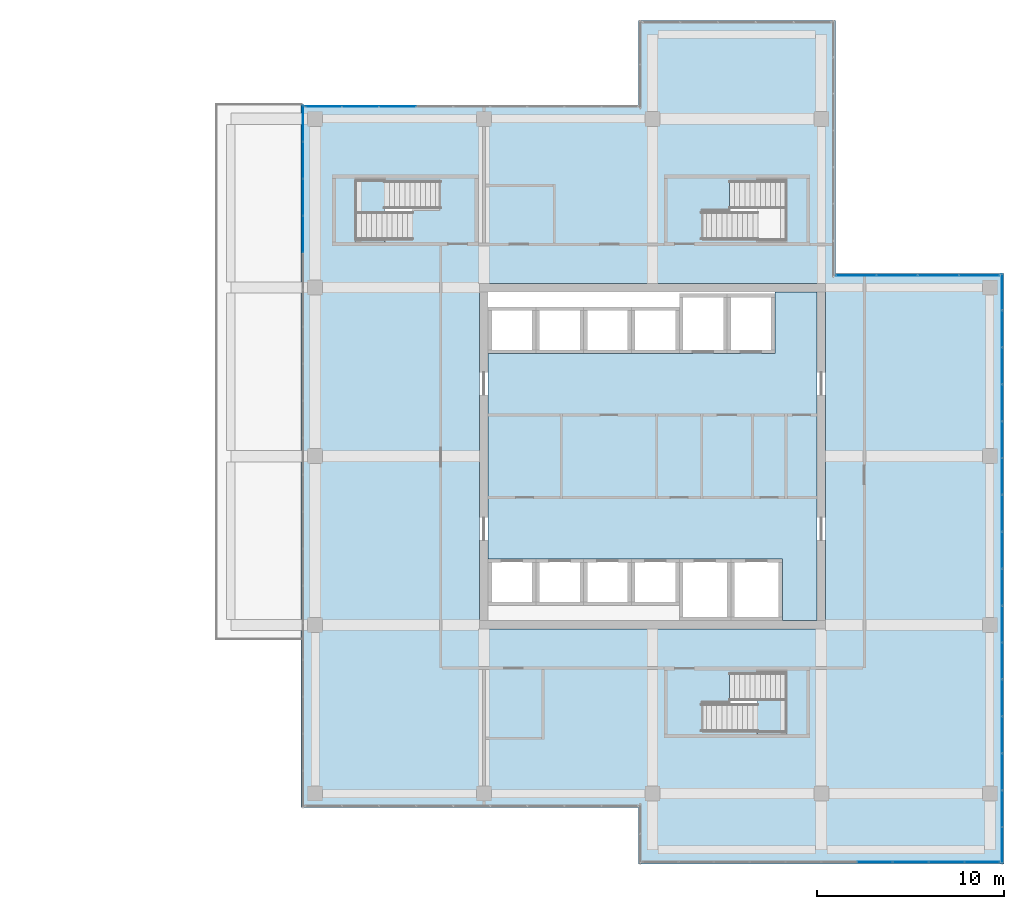
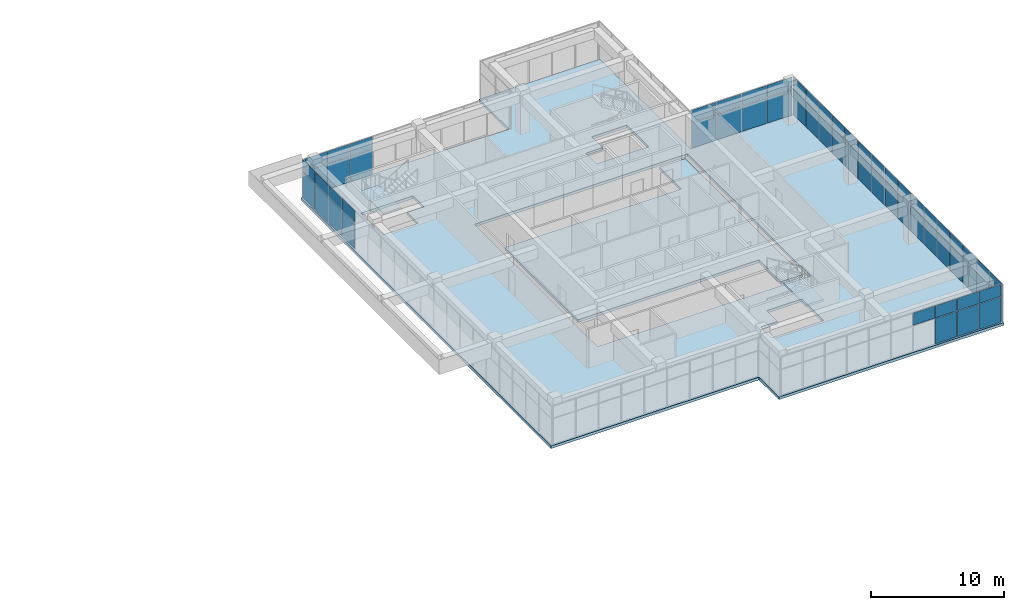
# One storey, part 40 of 52: 61 plates, 4 slabs, 7 elements without a shape of their own.
"""IFC4 building model written with IfcOpenShell, lengths in metres."""

from ifc_helpers import new_model, si_unit, direction, frame, origin, origin_2d, place, context, subcontext, project, spatial, polyline, rectangle, outline, extrude, material, layer, layer_set, type_object, element, aggregate, save


model = new_model("IFC4")

# Units and contexts
model_context = context("Model", 3, precision=1e-05, world=origin(), true_north=direction((0.0, 1.0)))
body_context = subcontext(model_context, "Body", "Model", "MODEL_VIEW")
ifc_project = project(units=[si_unit("LENGTHUNIT", "METRE"), si_unit("AREAUNIT", "SQUARE_METRE"), si_unit("VOLUMEUNIT", "CUBIC_METRE"), si_unit("PLANEANGLEUNIT", "RADIAN"), si_unit("MASSUNIT", "GRAM", prefix="KILO")], contexts=[model_context])

# Site, building, storey
site_placement = place(None, origin())
site = spatial("IfcSite", under=ifc_project, at=site_placement, CompositionType="ELEMENT")
building_placement = place(site_placement, origin())
building = spatial("IfcBuilding", under=site, at=building_placement, Name="Tuart Plaza Theatre", CompositionType="ELEMENT")
storey_placement = place(building_placement, frame((0.0, 0.0, 25.5)))
storey = spatial("IfcBuildingStorey", under=building, at=storey_placement, Name="L06", CompositionType="ELEMENT", Elevation=25.5)

# Curtain wall, plates
ifc_material_1 = material(Name="Aluminium and glass", Category="aluminium")
ifc_layer_1 = layer(ifc_material_1, 0.10009765625)
ifc_layer_set_1 = layer_set([ifc_layer_1], Name="CURTAIN WALL 2000 module")
curtain_wall_type = type_object("IfcCurtainWallType", Name="CURTAIN WALL 2000 module", PredefinedType="NOTDEFINED", material=ifc_layer_set_1)
curtain_wall_1_placement = place(storey_placement, origin())
curtain_wall_1 = element("IfcCurtainWall", 1, at=curtain_wall_1_placement, inside=storey, type_object=curtain_wall_type, Name="CW76", PredefinedType="NOTDEFINED")
ifc_material_2 = material(Name="Glass", Category="glass")
ifc_layer_2 = layer(ifc_material_2, 0.028076171875)
ifc_layer_set_2 = layer_set([ifc_layer_2], Name="CURTAIN PANEL double glazed 28")
plate_type = type_object("IfcPlateType", Name="CURTAIN PANEL double glazed 28", PredefinedType="CURTAIN_PANEL", material=ifc_layer_set_2)
plate_1_placement = place(storey_placement, frame((143.864990234375, 52.35009765625, 2.425048828125), z_axis=(0.0, 0.0, 1.0), x_axis=(1.0, 0.0, 0.0)))
plate_1 = element("IfcPlate", 2, at=plate_1_placement, type_object=plate_type, Name="CW76 panel 7.2", PredefinedType="CURTAIN_PANEL", context=body_context, shape_type="SweptSolid", body=[
    extrude(rectangle(XDim=1.860107421875, YDim=0.028076171875, at=origin_2d()), origin(), (0.0, 0.0, 1.0), 1.10498046875),
])
plate_2_placement = place(storey_placement, frame((145.77490234375, 52.35009765625, 0.0498046875), z_axis=(0.0, 0.0, 1.0), x_axis=(1.0, 0.0, 0.0)))
plate_2 = element("IfcPlate", 3, at=plate_2_placement, type_object=plate_type, Name="CW76 panel 8.1", PredefinedType="CURTAIN_PANEL", context=body_context, shape_type="SweptSolid", body=[
    extrude(rectangle(XDim=1.860107421875, YDim=0.028076171875, at=origin_2d()), origin(), (0.0, 0.0, 1.0), 2.324951171875),
])
plate_3_placement = place(storey_placement, frame((145.77490234375, 52.35009765625, 2.425048828125), z_axis=(0.0, 0.0, 1.0), x_axis=(1.0, 0.0, 0.0)))
plate_3 = element("IfcPlate", 4, at=plate_3_placement, type_object=plate_type, Name="CW76 panel 8.2", PredefinedType="CURTAIN_PANEL", context=body_context, shape_type="SweptSolid", body=[
    extrude(rectangle(XDim=1.860107421875, YDim=0.028076171875, at=origin_2d()), origin(), (0.0, 0.0, 1.0), 1.10498046875),
])
plate_4_placement = place(storey_placement, frame((147.68505859375, 52.35009765625, 0.0498046875), z_axis=(0.0, 0.0, 1.0), x_axis=(1.0, 0.0, 0.0)))
plate_4 = element("IfcPlate", 5, at=plate_4_placement, type_object=plate_type, Name="CW76 panel 9.1", PredefinedType="CURTAIN_PANEL", context=body_context, shape_type="SweptSolid", body=[
    extrude(rectangle(XDim=1.860107421875, YDim=0.028076171875, at=origin_2d()), origin(), (0.0, 0.0, 1.0), 2.324951171875),
])
plate_5_placement = place(storey_placement, frame((147.68505859375, 52.35009765625, 2.425048828125), z_axis=(0.0, 0.0, 1.0), x_axis=(1.0, 0.0, 0.0)))
plate_5 = element("IfcPlate", 6, at=plate_5_placement, type_object=plate_type, Name="CW76 panel 9.2", PredefinedType="CURTAIN_PANEL", context=body_context, shape_type="SweptSolid", body=[
    extrude(rectangle(XDim=1.860107421875, YDim=0.028076171875, at=origin_2d()), origin(), (0.0, 0.0, 1.0), 1.10498046875),
])
plate_6_placement = place(storey_placement, frame((149.58251953125, 52.35009765625, 0.0498046875), z_axis=(0.0, 0.0, 1.0), x_axis=(1.0, 0.0, 0.0)))
plate_6 = element("IfcPlate", 7, at=plate_6_placement, type_object=plate_type, Name="CW76 panel 10.1", PredefinedType="CURTAIN_PANEL", context=body_context, shape_type="SweptSolid", body=[
    extrude(rectangle(XDim=1.8349609375, YDim=0.028076171875, at=origin_2d()), origin(), (0.0, 0.0, 1.0), 2.324951171875),
])
plate_7_placement = place(storey_placement, frame((149.58251953125, 52.35009765625, 2.425048828125), z_axis=(0.0, 0.0, 1.0), x_axis=(1.0, 0.0, 0.0)))
plate_7 = element("IfcPlate", 8, at=plate_7_placement, type_object=plate_type, Name="CW76 panel 10.2", PredefinedType="CURTAIN_PANEL", context=body_context, shape_type="SweptSolid", body=[
    extrude(rectangle(XDim=1.8349609375, YDim=0.028076171875, at=origin_2d()), origin(), (0.0, 0.0, 1.0), 1.10498046875),
])
aggregate(curtain_wall_1, [plate_1, plate_2, plate_3, plate_4, plate_5, plate_6, plate_7])

curtain_wall_2_placement = place(storey_placement, origin())
curtain_wall_2 = element("IfcCurtainWall", 9, at=curtain_wall_2_placement, inside=storey, type_object=curtain_wall_type, Name="CW78", PredefinedType="NOTDEFINED")
plate_8_placement = place(storey_placement, frame((150.64990234375, 53.246826171875, 0.0498046875), z_axis=(0.0, 0.0, 1.0), x_axis=(0.0, 1.0, 0.0)))
plate_8 = element("IfcPlate", 10, at=plate_8_placement, type_object=plate_type, Name="CW78 panel 1.1", PredefinedType="CURTAIN_PANEL", context=body_context, shape_type="SweptSolid", body=[
    extrude(rectangle(XDim=1.893798828125, YDim=0.028076171875, at=origin_2d()), origin(), (0.0, 0.0, 1.0), 2.324951171875),
])
plate_9_placement = place(storey_placement, frame((150.64990234375, 53.246826171875, 2.425048828125), z_axis=(0.0, 0.0, 1.0), x_axis=(0.0, 1.0, 0.0)))
plate_9 = element("IfcPlate", 11, at=plate_9_placement, type_object=plate_type, Name="CW78 panel 1.2", PredefinedType="CURTAIN_PANEL", context=body_context, shape_type="SweptSolid", body=[
    extrude(rectangle(XDim=1.893798828125, YDim=0.028076171875, at=origin_2d()), origin(), (0.0, 0.0, 1.0), 1.10498046875),
])
plate_10_placement = place(storey_placement, frame((150.64990234375, 55.203125, 0.0498046875), z_axis=(0.0, 0.0, 1.0), x_axis=(0.0, 1.0, 0.0)))
plate_10 = element("IfcPlate", 12, at=plate_10_placement, type_object=plate_type, Name="CW78 panel 2.1", PredefinedType="CURTAIN_PANEL", context=body_context, shape_type="SweptSolid", body=[
    extrude(rectangle(XDim=1.918701171875, YDim=0.028076171875, at=origin_2d()), origin(), (0.0, 0.0, 1.0), 2.324951171875),
])
plate_11_placement = place(storey_placement, frame((150.64990234375, 55.203125, 2.425048828125), z_axis=(0.0, 0.0, 1.0), x_axis=(0.0, 1.0, 0.0)))
plate_11 = element("IfcPlate", 13, at=plate_11_placement, type_object=plate_type, Name="CW78 panel 2.2", PredefinedType="CURTAIN_PANEL", context=body_context, shape_type="SweptSolid", body=[
    extrude(rectangle(XDim=1.918701171875, YDim=0.028076171875, at=origin_2d()), origin(), (0.0, 0.0, 1.0), 1.10498046875),
])
plate_12_placement = place(storey_placement, frame((150.64990234375, 57.171875, 0.0498046875), z_axis=(0.0, 0.0, 1.0), x_axis=(0.0, 1.0, 0.0)))
plate_12 = element("IfcPlate", 14, at=plate_12_placement, type_object=plate_type, Name="CW78 panel 3.1", PredefinedType="CURTAIN_PANEL", context=body_context, shape_type="SweptSolid", body=[
    extrude(rectangle(XDim=1.918701171875, YDim=0.028076171875, at=origin_2d()), origin(), (0.0, 0.0, 1.0), 2.324951171875),
])
plate_13_placement = place(storey_placement, frame((150.64990234375, 57.171875, 2.425048828125), z_axis=(0.0, 0.0, 1.0), x_axis=(0.0, 1.0, 0.0)))
plate_13 = element("IfcPlate", 15, at=plate_13_placement, type_object=plate_type, Name="CW78 panel 3.2", PredefinedType="CURTAIN_PANEL", context=body_context, shape_type="SweptSolid", body=[
    extrude(rectangle(XDim=1.918701171875, YDim=0.028076171875, at=origin_2d()), origin(), (0.0, 0.0, 1.0), 1.10498046875),
])
plate_14_placement = place(storey_placement, frame((150.64990234375, 59.140625, 0.0498046875), z_axis=(0.0, 0.0, 1.0), x_axis=(0.0, 1.0, 0.0)))
plate_14 = element("IfcPlate", 16, at=plate_14_placement, type_object=plate_type, Name="CW78 panel 4.1", PredefinedType="CURTAIN_PANEL", context=body_context, shape_type="SweptSolid", body=[
    extrude(rectangle(XDim=1.918701171875, YDim=0.028076171875, at=origin_2d()), origin(), (0.0, 0.0, 1.0), 2.324951171875),
])
plate_15_placement = place(storey_placement, frame((150.64990234375, 59.140625, 2.425048828125), z_axis=(0.0, 0.0, 1.0), x_axis=(0.0, 1.0, 0.0)))
plate_15 = element("IfcPlate", 17, at=plate_15_placement, type_object=plate_type, Name="CW78 panel 4.2", PredefinedType="CURTAIN_PANEL", context=body_context, shape_type="SweptSolid", body=[
    extrude(rectangle(XDim=1.918701171875, YDim=0.028076171875, at=origin_2d()), origin(), (0.0, 0.0, 1.0), 1.10498046875),
])
plate_16_placement = place(storey_placement, frame((150.64990234375, 61.109375, 0.0498046875), z_axis=(0.0, 0.0, 1.0), x_axis=(0.0, 1.0, 0.0)))
plate_16 = element("IfcPlate", 18, at=plate_16_placement, type_object=plate_type, Name="CW78 panel 5.1", PredefinedType="CURTAIN_PANEL", context=body_context, shape_type="SweptSolid", body=[
    extrude(rectangle(XDim=1.918701171875, YDim=0.028076171875, at=origin_2d()), origin(), (0.0, 0.0, 1.0), 2.324951171875),
])
plate_17_placement = place(storey_placement, frame((150.64990234375, 61.109375, 2.425048828125), z_axis=(0.0, 0.0, 1.0), x_axis=(0.0, 1.0, 0.0)))
plate_17 = element("IfcPlate", 19, at=plate_17_placement, type_object=plate_type, Name="CW78 panel 5.2", PredefinedType="CURTAIN_PANEL", context=body_context, shape_type="SweptSolid", body=[
    extrude(rectangle(XDim=1.918701171875, YDim=0.028076171875, at=origin_2d()), origin(), (0.0, 0.0, 1.0), 1.10498046875),
])
plate_18_placement = place(storey_placement, frame((150.64990234375, 63.078125, 0.0498046875), z_axis=(0.0, 0.0, 1.0), x_axis=(0.0, 1.0, 0.0)))
plate_18 = element("IfcPlate", 20, at=plate_18_placement, type_object=plate_type, Name="CW78 panel 6.1", PredefinedType="CURTAIN_PANEL", context=body_context, shape_type="SweptSolid", body=[
    extrude(rectangle(XDim=1.918701171875, YDim=0.028076171875, at=origin_2d()), origin(), (0.0, 0.0, 1.0), 2.324951171875),
])
plate_19_placement = place(storey_placement, frame((150.64990234375, 63.078125, 2.425048828125), z_axis=(0.0, 0.0, 1.0), x_axis=(0.0, 1.0, 0.0)))
plate_19 = element("IfcPlate", 21, at=plate_19_placement, type_object=plate_type, Name="CW78 panel 6.2", PredefinedType="CURTAIN_PANEL", context=body_context, shape_type="SweptSolid", body=[
    extrude(rectangle(XDim=1.918701171875, YDim=0.028076171875, at=origin_2d()), origin(), (0.0, 0.0, 1.0), 1.10498046875),
])
plate_20_placement = place(storey_placement, frame((150.64990234375, 65.046875, 0.0498046875), z_axis=(0.0, 0.0, 1.0), x_axis=(0.0, 1.0, 0.0)))
plate_20 = element("IfcPlate", 22, at=plate_20_placement, type_object=plate_type, Name="CW78 panel 7.1", PredefinedType="CURTAIN_PANEL", context=body_context, shape_type="SweptSolid", body=[
    extrude(rectangle(XDim=1.918701171875, YDim=0.028076171875, at=origin_2d()), origin(), (0.0, 0.0, 1.0), 2.324951171875),
])
plate_21_placement = place(storey_placement, frame((150.64990234375, 65.046875, 2.425048828125), z_axis=(0.0, 0.0, 1.0), x_axis=(0.0, 1.0, 0.0)))
plate_21 = element("IfcPlate", 23, at=plate_21_placement, type_object=plate_type, Name="CW78 panel 7.2", PredefinedType="CURTAIN_PANEL", context=body_context, shape_type="SweptSolid", body=[
    extrude(rectangle(XDim=1.918701171875, YDim=0.028076171875, at=origin_2d()), origin(), (0.0, 0.0, 1.0), 1.10498046875),
])
plate_22_placement = place(storey_placement, frame((150.64990234375, 67.015625, 0.0498046875), z_axis=(0.0, 0.0, 1.0), x_axis=(0.0, 1.0, 0.0)))
plate_22 = element("IfcPlate", 24, at=plate_22_placement, type_object=plate_type, Name="CW78 panel 8.1", PredefinedType="CURTAIN_PANEL", context=body_context, shape_type="SweptSolid", body=[
    extrude(rectangle(XDim=1.918701171875, YDim=0.028076171875, at=origin_2d()), origin(), (0.0, 0.0, 1.0), 2.324951171875),
])
plate_23_placement = place(storey_placement, frame((150.64990234375, 67.015625, 2.425048828125), z_axis=(0.0, 0.0, 1.0), x_axis=(0.0, 1.0, 0.0)))
plate_23 = element("IfcPlate", 25, at=plate_23_placement, type_object=plate_type, Name="CW78 panel 8.2", PredefinedType="CURTAIN_PANEL", context=body_context, shape_type="SweptSolid", body=[
    extrude(rectangle(XDim=1.918701171875, YDim=0.028076171875, at=origin_2d()), origin(), (0.0, 0.0, 1.0), 1.10498046875),
])
plate_24_placement = place(storey_placement, frame((150.64990234375, 68.984375, 0.0498046875), z_axis=(0.0, 0.0, 1.0), x_axis=(0.0, 1.0, 0.0)))
plate_24 = element("IfcPlate", 26, at=plate_24_placement, type_object=plate_type, Name="CW78 panel 9.1", PredefinedType="CURTAIN_PANEL", context=body_context, shape_type="SweptSolid", body=[
    extrude(rectangle(XDim=1.918701171875, YDim=0.028076171875, at=origin_2d()), origin(), (0.0, 0.0, 1.0), 2.324951171875),
])
plate_25_placement = place(storey_placement, frame((150.64990234375, 68.984375, 2.425048828125), z_axis=(0.0, 0.0, 1.0), x_axis=(0.0, 1.0, 0.0)))
plate_25 = element("IfcPlate", 27, at=plate_25_placement, type_object=plate_type, Name="CW78 panel 9.2", PredefinedType="CURTAIN_PANEL", context=body_context, shape_type="SweptSolid", body=[
    extrude(rectangle(XDim=1.918701171875, YDim=0.028076171875, at=origin_2d()), origin(), (0.0, 0.0, 1.0), 1.10498046875),
])
plate_26_placement = place(storey_placement, frame((150.64990234375, 70.953125, 0.0498046875), z_axis=(0.0, 0.0, 1.0), x_axis=(0.0, 1.0, 0.0)))
plate_26 = element("IfcPlate", 28, at=plate_26_placement, type_object=plate_type, Name="CW78 panel 10.1", PredefinedType="CURTAIN_PANEL", context=body_context, shape_type="SweptSolid", body=[
    extrude(rectangle(XDim=1.918701171875, YDim=0.028076171875, at=origin_2d()), origin(), (0.0, 0.0, 1.0), 2.324951171875),
])
plate_27_placement = place(storey_placement, frame((150.64990234375, 70.953125, 2.425048828125), z_axis=(0.0, 0.0, 1.0), x_axis=(0.0, 1.0, 0.0)))
plate_27 = element("IfcPlate", 29, at=plate_27_placement, type_object=plate_type, Name="CW78 panel 10.2", PredefinedType="CURTAIN_PANEL", context=body_context, shape_type="SweptSolid", body=[
    extrude(rectangle(XDim=1.918701171875, YDim=0.028076171875, at=origin_2d()), origin(), (0.0, 0.0, 1.0), 1.10498046875),
])
plate_28_placement = place(storey_placement, frame((150.64990234375, 72.921875, 0.0498046875), z_axis=(0.0, 0.0, 1.0), x_axis=(0.0, 1.0, 0.0)))
plate_28 = element("IfcPlate", 30, at=plate_28_placement, type_object=plate_type, Name="CW78 panel 11.1", PredefinedType="CURTAIN_PANEL", context=body_context, shape_type="SweptSolid", body=[
    extrude(rectangle(XDim=1.918701171875, YDim=0.028076171875, at=origin_2d()), origin(), (0.0, 0.0, 1.0), 2.324951171875),
])
plate_29_placement = place(storey_placement, frame((150.64990234375, 72.921875, 2.425048828125), z_axis=(0.0, 0.0, 1.0), x_axis=(0.0, 1.0, 0.0)))
plate_29 = element("IfcPlate", 31, at=plate_29_placement, type_object=plate_type, Name="CW78 panel 11.2", PredefinedType="CURTAIN_PANEL", context=body_context, shape_type="SweptSolid", body=[
    extrude(rectangle(XDim=1.918701171875, YDim=0.028076171875, at=origin_2d()), origin(), (0.0, 0.0, 1.0), 1.10498046875),
])
plate_30_placement = place(storey_placement, frame((150.64990234375, 74.890625, 0.0498046875), z_axis=(0.0, 0.0, 1.0), x_axis=(0.0, 1.0, 0.0)))
plate_30 = element("IfcPlate", 32, at=plate_30_placement, type_object=plate_type, Name="CW78 panel 12.1", PredefinedType="CURTAIN_PANEL", context=body_context, shape_type="SweptSolid", body=[
    extrude(rectangle(XDim=1.918701171875, YDim=0.028076171875, at=origin_2d()), origin(), (0.0, 0.0, 1.0), 2.324951171875),
])
plate_31_placement = place(storey_placement, frame((150.64990234375, 74.890625, 2.425048828125), z_axis=(0.0, 0.0, 1.0), x_axis=(0.0, 1.0, 0.0)))
plate_31 = element("IfcPlate", 33, at=plate_31_placement, type_object=plate_type, Name="CW78 panel 12.2", PredefinedType="CURTAIN_PANEL", context=body_context, shape_type="SweptSolid", body=[
    extrude(rectangle(XDim=1.918701171875, YDim=0.028076171875, at=origin_2d()), origin(), (0.0, 0.0, 1.0), 1.10498046875),
])
plate_32_placement = place(storey_placement, frame((150.64990234375, 76.859375, 0.0498046875), z_axis=(0.0, 0.0, 1.0), x_axis=(0.0, 1.0, 0.0)))
plate_32 = element("IfcPlate", 34, at=plate_32_placement, type_object=plate_type, Name="CW78 panel 13.1", PredefinedType="CURTAIN_PANEL", context=body_context, shape_type="SweptSolid", body=[
    extrude(rectangle(XDim=1.918701171875, YDim=0.028076171875, at=origin_2d()), origin(), (0.0, 0.0, 1.0), 2.324951171875),
])
plate_33_placement = place(storey_placement, frame((150.64990234375, 76.859375, 2.425048828125), z_axis=(0.0, 0.0, 1.0), x_axis=(0.0, 1.0, 0.0)))
plate_33 = element("IfcPlate", 35, at=plate_33_placement, type_object=plate_type, Name="CW78 panel 13.2", PredefinedType="CURTAIN_PANEL", context=body_context, shape_type="SweptSolid", body=[
    extrude(rectangle(XDim=1.918701171875, YDim=0.028076171875, at=origin_2d()), origin(), (0.0, 0.0, 1.0), 1.10498046875),
])
plate_34_placement = place(storey_placement, frame((150.64990234375, 78.828125, 0.0498046875), z_axis=(0.0, 0.0, 1.0), x_axis=(0.0, 1.0, 0.0)))
plate_34 = element("IfcPlate", 36, at=plate_34_placement, type_object=plate_type, Name="CW78 panel 14.1", PredefinedType="CURTAIN_PANEL", context=body_context, shape_type="SweptSolid", body=[
    extrude(rectangle(XDim=1.918701171875, YDim=0.028076171875, at=origin_2d()), origin(), (0.0, 0.0, 1.0), 2.324951171875),
])
plate_35_placement = place(storey_placement, frame((150.64990234375, 78.828125, 2.425048828125), z_axis=(0.0, 0.0, 1.0), x_axis=(0.0, 1.0, 0.0)))
plate_35 = element("IfcPlate", 37, at=plate_35_placement, type_object=plate_type, Name="CW78 panel 14.2", PredefinedType="CURTAIN_PANEL", context=body_context, shape_type="SweptSolid", body=[
    extrude(rectangle(XDim=1.918701171875, YDim=0.028076171875, at=origin_2d()), origin(), (0.0, 0.0, 1.0), 1.10498046875),
])
plate_36_placement = place(storey_placement, frame((150.64990234375, 80.796875, 0.0498046875), z_axis=(0.0, 0.0, 1.0), x_axis=(0.0, 1.0, 0.0)))
plate_36 = element("IfcPlate", 38, at=plate_36_placement, type_object=plate_type, Name="CW78 panel 15.1", PredefinedType="CURTAIN_PANEL", context=body_context, shape_type="SweptSolid", body=[
    extrude(rectangle(XDim=1.918701171875, YDim=0.028076171875, at=origin_2d()), origin(), (0.0, 0.0, 1.0), 2.324951171875),
])
plate_37_placement = place(storey_placement, frame((150.64990234375, 80.796875, 2.425048828125), z_axis=(0.0, 0.0, 1.0), x_axis=(0.0, 1.0, 0.0)))
plate_37 = element("IfcPlate", 39, at=plate_37_placement, type_object=plate_type, Name="CW78 panel 15.2", PredefinedType="CURTAIN_PANEL", context=body_context, shape_type="SweptSolid", body=[
    extrude(rectangle(XDim=1.918701171875, YDim=0.028076171875, at=origin_2d()), origin(), (0.0, 0.0, 1.0), 1.10498046875),
])
plate_38_placement = place(storey_placement, frame((150.64990234375, 82.753173828125, 0.0498046875), z_axis=(0.0, 0.0, 1.0), x_axis=(0.0, 1.0, 0.0)))
plate_38 = element("IfcPlate", 40, at=plate_38_placement, type_object=plate_type, Name="CW78 panel 16.1", PredefinedType="CURTAIN_PANEL", context=body_context, shape_type="SweptSolid", body=[
    extrude(rectangle(XDim=1.893798828125, YDim=0.028076171875, at=origin_2d()), origin(), (0.0, 0.0, 1.0), 2.324951171875),
])
plate_39_placement = place(storey_placement, frame((150.64990234375, 82.753173828125, 2.425048828125), z_axis=(0.0, 0.0, 1.0), x_axis=(0.0, 1.0, 0.0)))
plate_39 = element("IfcPlate", 41, at=plate_39_placement, type_object=plate_type, Name="CW78 panel 16.2", PredefinedType="CURTAIN_PANEL", context=body_context, shape_type="SweptSolid", body=[
    extrude(rectangle(XDim=1.893798828125, YDim=0.028076171875, at=origin_2d()), origin(), (0.0, 0.0, 1.0), 1.10498046875),
])
aggregate(curtain_wall_2, [plate_8, plate_9, plate_10, plate_11, plate_12, plate_13, plate_14, plate_15, plate_16, plate_17, plate_18, plate_19, plate_20, plate_21, plate_22, plate_23, plate_24, plate_25, plate_26, plate_27, plate_28, plate_29, plate_30, plate_31, plate_32, plate_33, plate_34, plate_35, plate_36, plate_37, plate_38, plate_39])

curtain_wall_3_placement = place(storey_placement, origin())
curtain_wall_3 = element("IfcCurtainWall", 42, at=curtain_wall_3_placement, inside=storey, type_object=curtain_wall_type, Name="CW79", PredefinedType="NOTDEFINED")
plate_40_placement = place(storey_placement, frame((149.4375, 83.64990234375, 0.0498046875), z_axis=(0.0, 0.0, 1.0), x_axis=(-1.0, 0.0, 0.0)))
plate_40 = element("IfcPlate", 43, at=plate_40_placement, type_object=plate_type, Name="CW79 panel 1.1", PredefinedType="CURTAIN_PANEL", context=body_context, shape_type="SweptSolid", body=[
    extrude(rectangle(XDim=2.125, YDim=0.028076171875, at=origin_2d()), origin(), (0.0, 0.0, 1.0), 2.324951171875),
])
plate_41_placement = place(storey_placement, frame((149.4375, 83.64990234375, 2.425048828125), z_axis=(0.0, 0.0, 1.0), x_axis=(-1.0, 0.0, 0.0)))
plate_41 = element("IfcPlate", 44, at=plate_41_placement, type_object=plate_type, Name="CW79 panel 1.2", PredefinedType="CURTAIN_PANEL", context=body_context, shape_type="SweptSolid", body=[
    extrude(rectangle(XDim=2.125, YDim=0.028076171875, at=origin_2d()), origin(), (0.0, 0.0, 1.0), 1.10498046875),
])
plate_42_placement = place(storey_placement, frame((147.25, 83.64990234375, 0.0498046875), z_axis=(0.0, 0.0, 1.0), x_axis=(-1.0, 0.0, 0.0)))
plate_42 = element("IfcPlate", 45, at=plate_42_placement, type_object=plate_type, Name="CW79 panel 2.1", PredefinedType="CURTAIN_PANEL", context=body_context, shape_type="SweptSolid", body=[
    extrude(rectangle(XDim=2.14990234375, YDim=0.028076171875, at=origin_2d()), origin(), (0.0, 0.0, 1.0), 2.324951171875),
])
plate_43_placement = place(storey_placement, frame((147.25, 83.64990234375, 2.425048828125), z_axis=(0.0, 0.0, 1.0), x_axis=(-1.0, 0.0, 0.0)))
plate_43 = element("IfcPlate", 46, at=plate_43_placement, type_object=plate_type, Name="CW79 panel 2.2", PredefinedType="CURTAIN_PANEL", context=body_context, shape_type="SweptSolid", body=[
    extrude(rectangle(XDim=2.14990234375, YDim=0.028076171875, at=origin_2d()), origin(), (0.0, 0.0, 1.0), 1.10498046875),
])
plate_44_placement = place(storey_placement, frame((145.050048828125, 83.64990234375, 0.0498046875), z_axis=(0.0, 0.0, 1.0), x_axis=(-1.0, 0.0, 0.0)))
plate_44 = element("IfcPlate", 47, at=plate_44_placement, type_object=plate_type, Name="CW79 panel 3.1", PredefinedType="CURTAIN_PANEL", context=body_context, shape_type="SweptSolid", body=[
    extrude(rectangle(XDim=2.14990234375, YDim=0.028076171875, at=origin_2d()), origin(), (0.0, 0.0, 1.0), 2.324951171875),
])
plate_45_placement = place(storey_placement, frame((145.050048828125, 83.64990234375, 2.425048828125), z_axis=(0.0, 0.0, 1.0), x_axis=(-1.0, 0.0, 0.0)))
plate_45 = element("IfcPlate", 48, at=plate_45_placement, type_object=plate_type, Name="CW79 panel 3.2", PredefinedType="CURTAIN_PANEL", context=body_context, shape_type="SweptSolid", body=[
    extrude(rectangle(XDim=2.14990234375, YDim=0.028076171875, at=origin_2d()), origin(), (0.0, 0.0, 1.0), 1.10498046875),
])
plate_46_placement = place(storey_placement, frame((142.862548828125, 83.64990234375, 0.0498046875), z_axis=(0.0, 0.0, 1.0), x_axis=(-1.0, 0.0, 0.0)))
plate_46 = element("IfcPlate", 49, at=plate_46_placement, type_object=plate_type, Name="CW79 panel 4.1", PredefinedType="CURTAIN_PANEL", context=body_context, shape_type="SweptSolid", body=[
    extrude(rectangle(XDim=2.125, YDim=0.028076171875, at=origin_2d()), origin(), (0.0, 0.0, 1.0), 2.324951171875),
])
plate_47_placement = place(storey_placement, frame((142.862548828125, 83.64990234375, 2.425048828125), z_axis=(0.0, 0.0, 1.0), x_axis=(-1.0, 0.0, 0.0)))
plate_47 = element("IfcPlate", 50, at=plate_47_placement, type_object=plate_type, Name="CW79 panel 4.2", PredefinedType="CURTAIN_PANEL", context=body_context, shape_type="SweptSolid", body=[
    extrude(rectangle(XDim=2.125, YDim=0.028076171875, at=origin_2d()), origin(), (0.0, 0.0, 1.0), 1.10498046875),
])
aggregate(curtain_wall_3, [plate_40, plate_41, plate_42, plate_43, plate_44, plate_45, plate_46, plate_47])

curtain_wall_4_placement = place(storey_placement, origin())
curtain_wall_4 = element("IfcCurtainWall", 51, at=curtain_wall_4_placement, inside=storey, type_object=curtain_wall_type, Name="CW84", PredefinedType="NOTDEFINED")
plate_48_placement = place(storey_placement, frame((118.39453125, 92.64990234375, 0.0498046875), z_axis=(0.0, 0.0, 1.0), x_axis=(-1.0, 0.0, 0.0)))
plate_48 = element("IfcPlate", 52, at=plate_48_placement, type_object=plate_type, Name="CW84 panel 7.1", PredefinedType="CURTAIN_PANEL", context=body_context, shape_type="SweptSolid", body=[
    extrude(rectangle(XDim=1.927734375, YDim=0.028076171875, at=origin_2d()), origin(), (0.0, 0.0, 1.0), 2.324951171875),
])
plate_49_placement = place(storey_placement, frame((118.39453125, 92.64990234375, 2.425048828125), z_axis=(0.0, 0.0, 1.0), x_axis=(-1.0, 0.0, 0.0)))
plate_49 = element("IfcPlate", 53, at=plate_49_placement, type_object=plate_type, Name="CW84 panel 7.2", PredefinedType="CURTAIN_PANEL", context=body_context, shape_type="SweptSolid", body=[
    extrude(rectangle(XDim=1.927734375, YDim=0.028076171875, at=origin_2d()), origin(), (0.0, 0.0, 1.0), 1.10498046875),
])
plate_50_placement = place(storey_placement, frame((116.416748046875, 92.64990234375, 0.0498046875), z_axis=(0.0, 0.0, 1.0), x_axis=(-1.0, 0.0, 0.0)))
plate_50 = element("IfcPlate", 54, at=plate_50_placement, type_object=plate_type, Name="CW84 panel 8.1", PredefinedType="CURTAIN_PANEL", context=body_context, shape_type="SweptSolid", body=[
    extrude(rectangle(XDim=1.927734375, YDim=0.028076171875, at=origin_2d()), origin(), (0.0, 0.0, 1.0), 2.324951171875),
])
plate_51_placement = place(storey_placement, frame((116.416748046875, 92.64990234375, 2.425048828125), z_axis=(0.0, 0.0, 1.0), x_axis=(-1.0, 0.0, 0.0)))
plate_51 = element("IfcPlate", 55, at=plate_51_placement, type_object=plate_type, Name="CW84 panel 8.2", PredefinedType="CURTAIN_PANEL", context=body_context, shape_type="SweptSolid", body=[
    extrude(rectangle(XDim=1.927734375, YDim=0.028076171875, at=origin_2d()), origin(), (0.0, 0.0, 1.0), 1.10498046875),
])
plate_52_placement = place(storey_placement, frame((114.451416015625, 92.64990234375, 0.0498046875), z_axis=(0.0, 0.0, 1.0), x_axis=(-1.0, 0.0, 0.0)))
plate_52 = element("IfcPlate", 56, at=plate_52_placement, type_object=plate_type, Name="CW84 panel 9.1", PredefinedType="CURTAIN_PANEL", context=body_context, shape_type="SweptSolid", body=[
    extrude(rectangle(XDim=1.90283203125, YDim=0.028076171875, at=origin_2d()), origin(), (0.0, 0.0, 1.0), 2.324951171875),
])
plate_53_placement = place(storey_placement, frame((114.451416015625, 92.64990234375, 2.425048828125), z_axis=(0.0, 0.0, 1.0), x_axis=(-1.0, 0.0, 0.0)))
plate_53 = element("IfcPlate", 57, at=plate_53_placement, type_object=plate_type, Name="CW84 panel 9.2", PredefinedType="CURTAIN_PANEL", context=body_context, shape_type="SweptSolid", body=[
    extrude(rectangle(XDim=1.90283203125, YDim=0.028076171875, at=origin_2d()), origin(), (0.0, 0.0, 1.0), 1.10498046875),
])
aggregate(curtain_wall_4, [plate_48, plate_49, plate_50, plate_51, plate_52, plate_53])

curtain_wall_5_placement = place(storey_placement, origin())
curtain_wall_5 = element("IfcCurtainWall", 58, at=curtain_wall_5_placement, inside=storey, type_object=curtain_wall_type, Name="CW86", PredefinedType="NOTDEFINED")
plate_54_placement = place(storey_placement, frame((113.35009765625, 91.750732421875, 0.0498046875), z_axis=(0.0, 0.0, 1.0), x_axis=(0.0, -1.0, 0.0)))
plate_54 = element("IfcPlate", 59, at=plate_54_placement, type_object=plate_type, Name="CW86 panel 1.1", PredefinedType="CURTAIN_PANEL", context=body_context, shape_type="SweptSolid", body=[
    extrude(rectangle(XDim=1.898681640625, YDim=0.028076171875, at=origin_2d()), origin(), (0.0, 0.0, 1.0), 2.324951171875),
])
plate_55_placement = place(storey_placement, frame((113.35009765625, 91.750732421875, 2.425048828125), z_axis=(0.0, 0.0, 1.0), x_axis=(0.0, -1.0, 0.0)))
plate_55 = element("IfcPlate", 60, at=plate_55_placement, type_object=plate_type, Name="CW86 panel 1.2", PredefinedType="CURTAIN_PANEL", context=body_context, shape_type="SweptSolid", body=[
    extrude(rectangle(XDim=1.898681640625, YDim=0.028076171875, at=origin_2d()), origin(), (0.0, 0.0, 1.0), 1.10498046875),
])
plate_56_placement = place(storey_placement, frame((113.35009765625, 89.78955078125, 0.0498046875), z_axis=(0.0, 0.0, 1.0), x_axis=(0.0, -1.0, 0.0)))
plate_56 = element("IfcPlate", 61, at=plate_56_placement, type_object=plate_type, Name="CW86 panel 2.1", PredefinedType="CURTAIN_PANEL", context=body_context, shape_type="SweptSolid", body=[
    extrude(rectangle(XDim=1.923583984375, YDim=0.028076171875, at=origin_2d()), origin(), (0.0, 0.0, 1.0), 2.324951171875),
])
plate_57_placement = place(storey_placement, frame((113.35009765625, 89.78955078125, 2.425048828125), z_axis=(0.0, 0.0, 1.0), x_axis=(0.0, -1.0, 0.0)))
plate_57 = element("IfcPlate", 62, at=plate_57_placement, type_object=plate_type, Name="CW86 panel 2.2", PredefinedType="CURTAIN_PANEL", context=body_context, shape_type="SweptSolid", body=[
    extrude(rectangle(XDim=1.923583984375, YDim=0.028076171875, at=origin_2d()), origin(), (0.0, 0.0, 1.0), 1.10498046875),
])
plate_58_placement = place(storey_placement, frame((113.35009765625, 87.815673828125, 0.0498046875), z_axis=(0.0, 0.0, 1.0), x_axis=(0.0, -1.0, 0.0)))
plate_58 = element("IfcPlate", 63, at=plate_58_placement, type_object=plate_type, Name="CW86 panel 3.1", PredefinedType="CURTAIN_PANEL", context=body_context, shape_type="SweptSolid", body=[
    extrude(rectangle(XDim=1.923583984375, YDim=0.028076171875, at=origin_2d()), origin(), (0.0, 0.0, 1.0), 2.324951171875),
])
plate_59_placement = place(storey_placement, frame((113.35009765625, 87.815673828125, 2.425048828125), z_axis=(0.0, 0.0, 1.0), x_axis=(0.0, -1.0, 0.0)))
plate_59 = element("IfcPlate", 64, at=plate_59_placement, type_object=plate_type, Name="CW86 panel 3.2", PredefinedType="CURTAIN_PANEL", context=body_context, shape_type="SweptSolid", body=[
    extrude(rectangle(XDim=1.923583984375, YDim=0.028076171875, at=origin_2d()), origin(), (0.0, 0.0, 1.0), 1.10498046875),
])
plate_60_placement = place(storey_placement, frame((113.35009765625, 85.842041015625, 0.0498046875), z_axis=(0.0, 0.0, 1.0), x_axis=(0.0, -1.0, 0.0)))
plate_60 = element("IfcPlate", 65, at=plate_60_placement, type_object=plate_type, Name="CW86 panel 4.1", PredefinedType="CURTAIN_PANEL", context=body_context, shape_type="SweptSolid", body=[
    extrude(rectangle(XDim=1.923583984375, YDim=0.028076171875, at=origin_2d()), origin(), (0.0, 0.0, 1.0), 2.324951171875),
])
plate_61_placement = place(storey_placement, frame((113.35009765625, 85.842041015625, 2.425048828125), z_axis=(0.0, 0.0, 1.0), x_axis=(0.0, -1.0, 0.0)))
plate_61 = element("IfcPlate", 66, at=plate_61_placement, type_object=plate_type, Name="CW86 panel 4.2", PredefinedType="CURTAIN_PANEL", context=body_context, shape_type="SweptSolid", body=[
    extrude(rectangle(XDim=1.923583984375, YDim=0.028076171875, at=origin_2d()), origin(), (0.0, 0.0, 1.0), 1.10498046875),
])
aggregate(curtain_wall_5, [plate_54, plate_55, plate_56, plate_57, plate_58, plate_59, plate_60, plate_61])

# Slabs
ifc_material_3 = material(Name="Concrete N40 (40 MPa)", Category="concrete")
ifc_layer_3 = layer(ifc_material_3, 0.25)
ifc_layer_set_3 = layer_set([ifc_layer_3], Name="SLAB Floor 250 Concrete N40 (40 MPa)")
slab_type_1 = type_object("IfcSlabType", Name="SLAB Floor 250 Concrete N40 (40 MPa)", PredefinedType="FLOOR", material=ifc_layer_set_3)
slab_1_placement = place(storey_placement, frame((0.0, 0.0, -0.25)))
element("IfcSlab", 67, at=slab_1_placement, inside=storey, type_object=slab_type_1, Name="S85", PredefinedType="FLOOR", context=body_context, shape_type="SweptSolid", body=[
    extrude(outline(polyline([(141.75, 97.25), (131.25, 97.25), (131.25, 92.75), (113.25, 92.75), (113.25, 55.25), (131.25, 55.25), (131.25, 52.25), (150.75, 52.25), (150.75, 83.75), (141.75, 83.75), (141.75, 97.25)]), holes=[polyline([(141.22509765625, 64.77490234375), (141.22509765625, 83.22509765625), (122.77490234375, 83.22509765625), (122.77490234375, 64.77490234375), (141.22509765625, 64.77490234375)]), polyline([(136.114990234375, 62.5), (136.114990234375, 60.875), (134.655029296875, 60.875), (134.655029296875, 59.25), (139.169921875, 59.25), (139.169921875, 62.5), (136.114990234375, 62.5)]), polyline([(139.169921875, 88.75), (136.114990234375, 88.75), (136.114990234375, 87.125), (134.655029296875, 87.125), (134.655029296875, 85.5), (139.169921875, 85.5), (139.169921875, 88.75)]), polyline([(116.1298828125, 88.75), (116.1298828125, 85.5), (119.18505859375, 85.5), (119.18505859375, 87.125), (120.64501953125, 87.125), (120.64501953125, 88.75), (116.1298828125, 88.75)])]), origin(), (0.0, 0.0, 1.0), 0.25),
])
slab_2_placement = place(storey_placement, frame((0.0, 0.0, -0.25)))
element("IfcSlab", 68, at=slab_2_placement, inside=storey, type_object=slab_type_1, Name="S86", PredefinedType="FLOOR", context=body_context, shape_type="SweptSolid", body=[
    extrude(outline(polyline([(138.925048828125, 68.52490234375), (138.925048828125, 65.22509765625), (140.77490234375, 65.22509765625), (140.77490234375, 82.77490234375), (138.52490234375, 82.77490234375), (138.52490234375, 79.47509765625), (123.22509765625, 79.47509765625), (123.22509765625, 68.52490234375), (138.925048828125, 68.52490234375)])), origin(), (0.0, 0.0, 1.0), 0.25),
])

# Stair, slab
ifc_material_4 = material(Name="Concrete N40 (40 MPa)", Category="concrete")
stair_type = type_object("IfcStairType", Name="STAIR half turn 1500", PredefinedType="HALF_TURN_STAIR", material=ifc_material_4)
stair_1_placement = place(storey_placement, origin())
stair_1 = element("IfcStair", 69, at=stair_1_placement, inside=storey, type_object=stair_type, Name="SC-3", PredefinedType="HALF_TURN_STAIR")
ifc_material_5 = material(Name="Concrete N40 (40 MPa)", Category="concrete")
ifc_layer_4 = layer(ifc_material_5, 0.199951171875)
ifc_layer_set_4 = layer_set([ifc_layer_4], Name="STAIR LANDING 200")
slab_type_2 = type_object("IfcSlabType", Name="STAIR LANDING 200", PredefinedType="LANDING", material=ifc_layer_set_4)
slab_3_placement = place(storey_placement, frame((0.0, 0.0, 1.800048828125)))
slab_3 = element("IfcSlab", 70, at=slab_3_placement, type_object=slab_type_2, Name="SC-3 landing 1", PredefinedType="LANDING", context=body_context, shape_type="SweptSolid", body=[
    extrude(outline(polyline([(137.60009765625, 59.177001953125), (139.1298828125, 59.177001953125), (139.1298828125, 62.572998046875), (137.60009765625, 62.572998046875), (137.60009765625, 59.177001953125)])), origin(), (0.0, 0.0, 1.0), 0.199951171875),
])
aggregate(stair_1, [slab_3])

stair_2_placement = place(storey_placement, origin())
stair_2 = element("IfcStair", 71, at=stair_2_placement, inside=storey, type_object=stair_type, Name="SC-15", PredefinedType="HALF_TURN_STAIR")
slab_4_placement = place(storey_placement, frame((0.0, 0.0, 1.800048828125)))
slab_4 = element("IfcSlab", 72, at=slab_4_placement, type_object=slab_type_2, Name="SC-15 landing 1", PredefinedType="LANDING", context=body_context, shape_type="SweptSolid", body=[
    extrude(outline(polyline([(117.699951171875, 88.822998046875), (116.169921875, 88.822998046875), (116.169921875, 85.427001953125), (117.699951171875, 85.427001953125), (117.699951171875, 88.822998046875)])), origin(), (0.0, 0.0, 1.0), 0.199951171875),
])
aggregate(stair_2, [slab_4])

save(model, "model.ifc")
